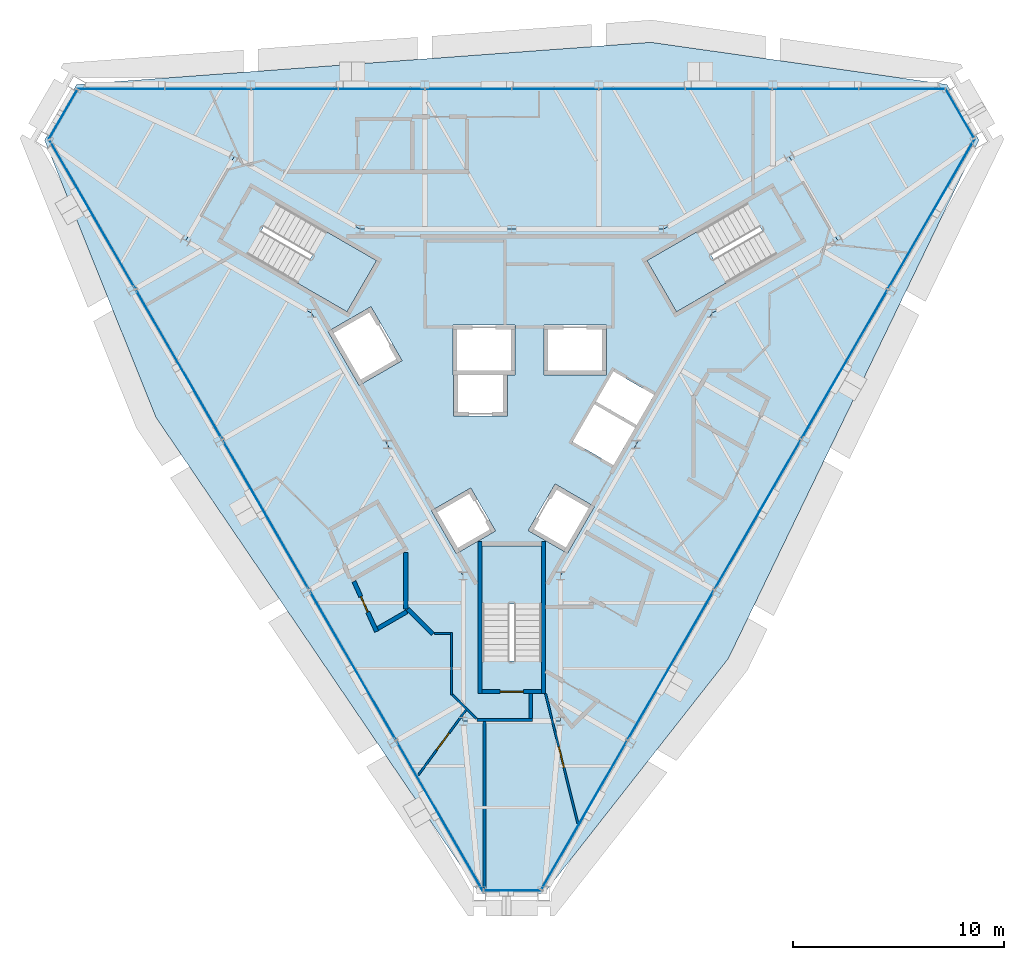
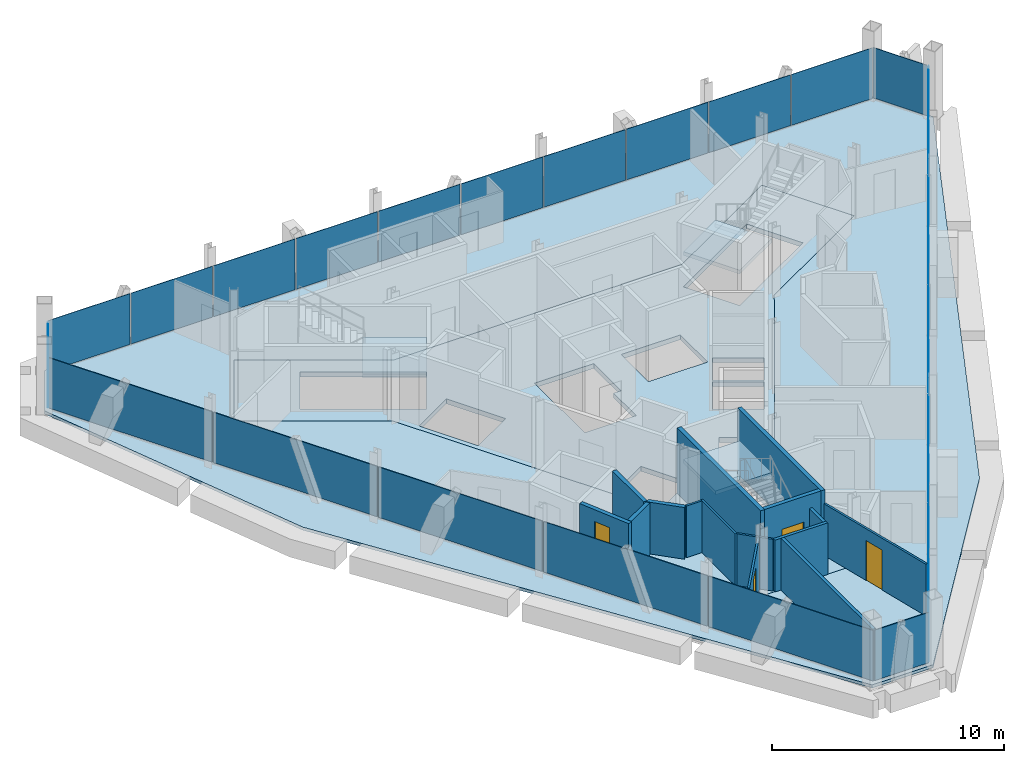
# One storey, part 7 of 12: 23 plates, 15 walls, 5 slabs, 4 doors, 4 openings, 9 elements without a shape of their own.
"""IFC4 building model written with IfcOpenShell, lengths in metres."""

from ifc_helpers import new_model, si_unit, direction, frame, frame_2d, origin, origin_2d, place, context, subcontext, project, spatial, polyline, rectangle, outline, extrude, material, layer, layer_set, type_object, element, fill, aggregate, save


model = new_model("IFC4")

# Units and contexts
model_context = context("Model", 3, precision=1e-05, world=origin(), true_north=direction((0.0, 1.0)))
body_context = subcontext(model_context, "Body", "Model", "MODEL_VIEW")
ifc_project = project(units=[si_unit("LENGTHUNIT", "METRE"), si_unit("AREAUNIT", "SQUARE_METRE"), si_unit("VOLUMEUNIT", "CUBIC_METRE"), si_unit("PLANEANGLEUNIT", "RADIAN"), si_unit("MASSUNIT", "GRAM", prefix="KILO")], contexts=[model_context])

# Site, building, storey
site_placement = place(None, origin())
site = spatial("IfcSite", under=ifc_project, at=site_placement, CompositionType="ELEMENT")
building_placement = place(site_placement, origin())
building = spatial("IfcBuilding", under=site, at=building_placement, Name="Verrane Prism Tower", CompositionType="ELEMENT")
storey_placement = place(building_placement, frame((0.0, 0.0, 271.39990234375)))
storey = spatial("IfcBuildingStorey", under=building, at=storey_placement, Name="L68", CompositionType="ELEMENT", Elevation=271.39990234375)

# Slabs
ifc_material_1 = material(Name="Concrete C35/45", Category="concrete")
ifc_layer_1 = layer(ifc_material_1, 0.159912109375)
ifc_layer_set_1 = layer_set([ifc_layer_1], Name="Composite floor slab")
slab_type_1 = type_object("IfcSlabType", Name="Composite floor slab", PredefinedType="FLOOR", material=ifc_layer_set_1)
slab_1_placement = place(storey_placement, frame((0.0, 0.0, -0.159912109375)))
element("IfcSlab", 1, at=slab_1_placement, inside=storey, type_object=slab_type_1, Name="Floor slab L68", PredefinedType="FLOOR", context=body_context, shape_type="SweptSolid", body=[
    extrude(outline(polyline([(10.256591796875, -13.53515625), (1.51904296875, -24.6689453125), (-1.51904296875, -24.6689453125), (-16.85009765625, -2.114990234375), (-22.12353515625, 11.01904296875), (-20.6044921875, 13.64990234375), (6.593505859375, 15.64990234375), (20.6044921875, 13.64990234375), (22.12353515625, 11.01904296875), (10.256591796875, -13.53515625)]), holes=[polyline([(15.43994140625, 6.260009765625), (13.139892578125, 10.239990234375), (7.179931640625, 6.800048828125), (0.0, 6.800048828125), (-7.179931640625, 6.800048828125), (-13.139892578125, 10.239990234375), (-15.43994140625, 6.260009765625), (-9.47998046875, 2.820068359375), (-5.889892578125, -3.39990234375), (-2.300048828125, -9.6201171875), (-2.300048828125, -16.5), (2.300048828125, -16.5), (2.300048828125, -9.6201171875), (5.889892578125, -3.39990234375), (9.47998046875, 2.820068359375), (15.43994140625, 6.260009765625)])]), origin(), (0.0, 0.0, 1.0), 0.159912109375),
])
ifc_material_2 = material(Name="Concrete C40/50", Category="concrete")
ifc_layer_2 = layer(ifc_material_2, 0.25)
ifc_layer_set_2 = layer_set([ifc_layer_2], Name="Core floor slab 250 concrete C40/50")
slab_type_2 = type_object("IfcSlabType", Name="Core floor slab 250 concrete C40/50", PredefinedType="FLOOR", material=ifc_layer_set_2)
slab_2_placement = place(storey_placement, frame((0.0, 0.0, -0.25)))
element("IfcSlab", 2, at=slab_2_placement, inside=storey, type_object=slab_type_2, Name="Core floor L68", PredefinedType="FLOOR", context=body_context, shape_type="SweptSolid", body=[
    extrude(outline(polyline([(9.47998046875, 2.820068359375), (15.43994140625, 6.260009765625), (13.139892578125, 10.239990234375), (7.179931640625, 6.800048828125), (0.0, 6.800048828125), (-7.179931640625, 6.800048828125), (-13.139892578125, 10.239990234375), (-15.43994140625, 6.260009765625), (-9.47998046875, 2.820068359375), (-5.889892578125, -3.39990234375), (-2.300048828125, -9.6201171875), (-2.300048828125, -16.5), (2.300048828125, -16.5), (2.300048828125, -9.6201171875), (5.889892578125, -3.39990234375), (9.47998046875, 2.820068359375)]), holes=[polyline([(-1.39990234375, -8.199951171875), (1.39990234375, -8.199951171875), (1.39990234375, -13.639892578125), (-1.39990234375, -13.639892578125), (-1.39990234375, -8.199951171875)]), polyline([(-0.76708984375, -7.491943359375), (-2.62890625, -8.56689453125), (-3.803955078125, -6.531982421875), (-1.94189453125, -5.45703125), (-0.76708984375, -7.491943359375)]), polyline([(3.9140625, -6.341064453125), (2.638916015625, -8.550048828125), (0.777099609375, -7.47509765625), (2.052001953125, -5.26611328125), (3.9140625, -6.341064453125)]), polyline([(4.81494140625, -4.37890625), (2.888916015625, -3.26708984375), (3.9130859375, -1.490966796875), (5.841064453125, -2.60302734375), (4.81494140625, -4.37890625)]), polyline([(6.739990234375, -1.044921875), (5.916015625, -2.47412109375), (3.988037109375, -1.361083984375), (4.81396484375, 0.06689453125), (6.739990234375, -1.044921875)]), polyline([(-2.784912109375, -0.10009765625), (-2.784912109375, 2.25), (0.1650390625, 2.25), (0.1650390625, -0.10009765625), (-0.205078125, -0.10009765625), (-0.205078125, -2.050048828125), (-2.7548828125, -2.050048828125), (-2.7548828125, -0.10009765625), (-2.784912109375, -0.10009765625)]), polyline([(4.47509765625, 2.25), (4.47509765625, -0.10009765625), (1.52490234375, -0.10009765625), (1.52490234375, 2.25), (4.47509765625, 2.25)]), polyline([(-8.7041015625, 1.955078125), (-6.66796875, 3.1298828125), (-5.193115234375, 0.574951171875), (-7.22900390625, -0.60009765625), (-8.7041015625, 1.955078125)]), polyline([(-7.801025390625, 2.887939453125), (-12.512939453125, 5.60791015625), (-11.113037109375, 8.031982421875), (-6.40087890625, 5.31201171875), (-7.801025390625, 2.887939453125)]), polyline([(6.40087890625, 5.31201171875), (11.113037109375, 8.031982421875), (12.512939453125, 5.60791015625), (7.801025390625, 2.887939453125), (6.40087890625, 5.31201171875)])]), origin(), (0.0, 0.0, 1.0), 0.25),
])

# Curtain wall, plates
ifc_material_3 = material(Name="Aluminium framed insulated glazing", Category="aluminium")
curtain_wall_type_1 = type_object("IfcCurtainWallType", Name="Curtain wall CW-C 4200 module", PredefinedType="NOTDEFINED", material=ifc_material_3)
curtain_wall_1_placement = place(storey_placement, origin())
curtain_wall_1 = element("IfcCurtainWall", 3, at=curtain_wall_1_placement, inside=storey, type_object=curtain_wall_type_1, Name="Glazed curtain wall north face L68", PredefinedType="NOTDEFINED")
ifc_material_4 = material(Name="Low-iron insulating glass unit", Category="glass")
ifc_layer_3 = layer(ifc_material_4, 0.02392578125)
ifc_layer_set_3 = layer_set([ifc_layer_3], Name="Glazing panel IGU 24")
plate_type_1 = type_object("IfcPlateType", Name="Glazing panel IGU 24", PredefinedType="CURTAIN_PANEL", material=ifc_layer_set_3)
plate_1_placement = place(storey_placement, frame((18.47900390625, 13.447265625, 0.05029296875), z_axis=(0.0, 0.0, 1.0), x_axis=(-1.0, 0.0, 0.0)))
plate_1 = element("IfcPlate", 4, at=plate_1_placement, type_object=plate_type_1, Name="CW66.2 panel 1", PredefinedType="CURTAIN_PANEL", context=body_context, shape_type="SweptSolid", body=[
    extrude(rectangle(XDim=4.0341796875, YDim=0.02392578125, at=origin_2d()), origin(), (0.0, 0.0, 1.0), 2.673095703125),
])
plate_2_placement = place(storey_placement, frame((14.38232421875, 13.447265625, 0.05029296875), z_axis=(0.0, 0.0, 1.0), x_axis=(-1.0, 0.0, 0.0)))
plate_2 = element("IfcPlate", 5, at=plate_2_placement, type_object=plate_type_1, Name="CW66.2 panel 2", PredefinedType="CURTAIN_PANEL", context=body_context, shape_type="SweptSolid", body=[
    extrude(rectangle(XDim=4.059326171875, YDim=0.02392578125, at=origin_2d()), origin(), (0.0, 0.0, 1.0), 2.673095703125),
])
plate_3_placement = place(storey_placement, frame((10.27294921875, 13.447265625, 0.05029296875), z_axis=(0.0, 0.0, 1.0), x_axis=(-1.0, 0.0, 0.0)))
plate_3 = element("IfcPlate", 6, at=plate_3_placement, type_object=plate_type_1, Name="CW66.2 panel 3", PredefinedType="CURTAIN_PANEL", context=body_context, shape_type="SweptSolid", body=[
    extrude(rectangle(XDim=4.059326171875, YDim=0.02392578125, at=origin_2d()), origin(), (0.0, 0.0, 1.0), 2.673095703125),
])
plate_4_placement = place(storey_placement, frame((6.163818359375, 13.447265625, 0.05029296875), z_axis=(0.0, 0.0, 1.0), x_axis=(-1.0, 0.0, 0.0)))
plate_4 = element("IfcPlate", 7, at=plate_4_placement, type_object=plate_type_1, Name="CW66.2 panel 4", PredefinedType="CURTAIN_PANEL", context=body_context, shape_type="SweptSolid", body=[
    extrude(rectangle(XDim=4.059326171875, YDim=0.02392578125, at=origin_2d()), origin(), (0.0, 0.0, 1.0), 2.673095703125),
])
plate_5_placement = place(storey_placement, frame((2.0546875, 13.447265625, 0.05029296875), z_axis=(0.0, 0.0, 1.0), x_axis=(-1.0, 0.0, 0.0)))
plate_5 = element("IfcPlate", 8, at=plate_5_placement, type_object=plate_type_1, Name="CW66.2 panel 5", PredefinedType="CURTAIN_PANEL", context=body_context, shape_type="SweptSolid", body=[
    extrude(rectangle(XDim=4.059326171875, YDim=0.02392578125, at=origin_2d()), origin(), (0.0, 0.0, 1.0), 2.673095703125),
])
plate_6_placement = place(storey_placement, frame((-2.0546875, 13.447265625, 0.05029296875), z_axis=(0.0, 0.0, 1.0), x_axis=(-1.0, 0.0, 0.0)))
plate_6 = element("IfcPlate", 9, at=plate_6_placement, type_object=plate_type_1, Name="CW66.2 panel 6", PredefinedType="CURTAIN_PANEL", context=body_context, shape_type="SweptSolid", body=[
    extrude(rectangle(XDim=4.059326171875, YDim=0.02392578125, at=origin_2d()), origin(), (0.0, 0.0, 1.0), 2.673095703125),
])
plate_7_placement = place(storey_placement, frame((-6.163818359375, 13.447265625, 0.05029296875), z_axis=(0.0, 0.0, 1.0), x_axis=(-1.0, 0.0, 0.0)))
plate_7 = element("IfcPlate", 10, at=plate_7_placement, type_object=plate_type_1, Name="CW66.2 panel 7", PredefinedType="CURTAIN_PANEL", context=body_context, shape_type="SweptSolid", body=[
    extrude(rectangle(XDim=4.059326171875, YDim=0.02392578125, at=origin_2d()), origin(), (0.0, 0.0, 1.0), 2.673095703125),
])
plate_8_placement = place(storey_placement, frame((-10.27294921875, 13.447265625, 0.05029296875), z_axis=(0.0, 0.0, 1.0), x_axis=(-1.0, 0.0, 0.0)))
plate_8 = element("IfcPlate", 11, at=plate_8_placement, type_object=plate_type_1, Name="CW66.2 panel 8", PredefinedType="CURTAIN_PANEL", context=body_context, shape_type="SweptSolid", body=[
    extrude(rectangle(XDim=4.059326171875, YDim=0.02392578125, at=origin_2d()), origin(), (0.0, 0.0, 1.0), 2.673095703125),
])
plate_9_placement = place(storey_placement, frame((-14.38232421875, 13.447265625, 0.05029296875), z_axis=(0.0, 0.0, 1.0), x_axis=(-1.0, 0.0, 0.0)))
plate_9 = element("IfcPlate", 12, at=plate_9_placement, type_object=plate_type_1, Name="CW66.2 panel 9", PredefinedType="CURTAIN_PANEL", context=body_context, shape_type="SweptSolid", body=[
    extrude(rectangle(XDim=4.059326171875, YDim=0.02392578125, at=origin_2d()), origin(), (0.0, 0.0, 1.0), 2.673095703125),
])
plate_10_placement = place(storey_placement, frame((-18.50390625, 13.447265625, 0.05029296875), z_axis=(0.0, 0.0, 1.0), x_axis=(-1.0, 0.0, 0.0)))
plate_10 = element("IfcPlate", 13, at=plate_10_placement, type_object=plate_type_1, Name="CW66.2 panel 10", PredefinedType="CURTAIN_PANEL", context=body_context, shape_type="SweptSolid", body=[
    extrude(rectangle(XDim=4.084228515625, YDim=0.02392578125, at=origin_2d()), origin(), (0.0, 0.0, 1.0), 2.673095703125),
])
aggregate(curtain_wall_1, [plate_1, plate_2, plate_3, plate_4, plate_5, plate_6, plate_7, plate_8, plate_9, plate_10])

# Curtain wall, plate
ifc_material_5 = material(Name="Aluminium framed insulated glazing", Category="aluminium")
curtain_wall_type_2 = type_object("IfcCurtainWallType", Name="Curtain wall CW-A 8400 module", PredefinedType="NOTDEFINED", material=ifc_material_5)
curtain_wall_2_placement = place(storey_placement, origin())
curtain_wall_2 = element("IfcCurtainWall", 14, at=curtain_wall_2_placement, inside=storey, type_object=curtain_wall_type_2, Name="Glazed curtain wall north-east corner L68", PredefinedType="NOTDEFINED")
ifc_material_6 = material(Name="Low-iron insulating glass unit", Category="glass")
ifc_layer_4 = layer(ifc_material_6, 0.031982421875)
ifc_layer_set_4 = layer_set([ifc_layer_4], Name="Glazing panel IGU 32")
plate_type_2 = type_object("IfcPlateType", Name="Glazing panel IGU 32", PredefinedType="CURTAIN_PANEL", material=ifc_layer_set_4)
plate_11_placement = place(storey_placement, frame((21.21484375, 12.288818359375, 0.0703125), z_axis=(0.0, 0.0, 1.0), x_axis=(-0.500002040855, 0.866024225493, 0.0)))
plate_11 = element("IfcPlate", 15, at=plate_11_placement, type_object=plate_type_2, Name="CW66.1 panel 1", PredefinedType="CURTAIN_PANEL", context=body_context, shape_type="SweptSolid", body=[
    extrude(rectangle(XDim=2.67529296875, YDim=0.031982421875, at=origin_2d()), origin(), (0.0, 0.0, 1.0), 2.653076171875),
])
aggregate(curtain_wall_2, [plate_11])

curtain_wall_3_placement = place(storey_placement, origin())
curtain_wall_3 = element("IfcCurtainWall", 16, at=curtain_wall_3_placement, inside=storey, type_object=curtain_wall_type_2, Name="Glazed curtain wall north-west corner L68", PredefinedType="NOTDEFINED")
plate_12_placement = place(storey_placement, frame((-21.25, 12.228271484375, 0.0703125), z_axis=(0.0, 0.0, 1.0), x_axis=(-0.500002040855, -0.866024225493, 0.0)))
plate_12 = element("IfcPlate", 17, at=plate_12_placement, type_object=plate_type_2, Name="CW66.3 panel 1", PredefinedType="CURTAIN_PANEL", context=body_context, shape_type="SweptSolid", body=[
    extrude(rectangle(XDim=2.67529296875, YDim=0.031982421875, at=origin_2d()), origin(), (0.0, 0.0, 1.0), 2.653076171875),
])
aggregate(curtain_wall_3, [plate_12])

# Curtain wall, plates
curtain_wall_4_placement = place(storey_placement, origin())
curtain_wall_4 = element("IfcCurtainWall", 18, at=curtain_wall_4_placement, inside=storey, type_object=curtain_wall_type_2, Name="Glazed curtain wall south-west face L68", PredefinedType="NOTDEFINED")
plate_13_placement = place(storey_placement, frame((-19.855224609375, 7.495849609375, 0.0703125), z_axis=(0.0, 0.0, 1.0), x_axis=(0.500000938868, -0.866024861728, 0.0)))
plate_13 = element("IfcPlate", 19, at=plate_13_placement, type_object=plate_type_2, Name="CW66.4 panel 1", PredefinedType="CURTAIN_PANEL", context=body_context, shape_type="SweptSolid", body=[
    extrude(rectangle(XDim=8.113525390625, YDim=0.031982421875, at=origin_2d()), origin(), (0.0, 0.0, 1.0), 2.653076171875),
])
plate_14_placement = place(storey_placement, frame((-15.7548828125, 0.393798828125, 0.0703125), z_axis=(0.0, 0.0, 1.0), x_axis=(0.500000938868, -0.866024861728, 0.0)))
plate_14 = element("IfcPlate", 20, at=plate_14_placement, type_object=plate_type_2, Name="CW66.4 panel 2", PredefinedType="CURTAIN_PANEL", context=body_context, shape_type="SweptSolid", body=[
    extrude(rectangle(XDim=8.1484375, YDim=0.031982421875, at=origin_2d()), origin(), (0.0, 0.0, 1.0), 2.653076171875),
])
plate_15_placement = place(storey_placement, frame((-11.645751953125, -6.7236328125, 0.0703125), z_axis=(0.0, 0.0, 1.0), x_axis=(0.500000938868, -0.866024861728, 0.0)))
plate_15 = element("IfcPlate", 21, at=plate_15_placement, type_object=plate_type_2, Name="CW66.4 panel 3", PredefinedType="CURTAIN_PANEL", context=body_context, shape_type="SweptSolid", body=[
    extrude(rectangle(XDim=8.1484375, YDim=0.031982421875, at=origin_2d()), origin(), (0.0, 0.0, 1.0), 2.653076171875),
])
plate_16_placement = place(storey_placement, frame((-7.536376953125, -13.841064453125, 0.0703125), z_axis=(0.0, 0.0, 1.0), x_axis=(0.500000938868, -0.866024861728, 0.0)))
plate_16 = element("IfcPlate", 22, at=plate_16_placement, type_object=plate_type_2, Name="CW66.4 panel 4", PredefinedType="CURTAIN_PANEL", context=body_context, shape_type="SweptSolid", body=[
    extrude(rectangle(XDim=8.1484375, YDim=0.031982421875, at=origin_2d()), origin(), (0.0, 0.0, 1.0), 2.653076171875),
])
plate_17_placement = place(storey_placement, frame((-3.41845703125, -20.973388671875, 0.0703125), z_axis=(0.0, 0.0, 1.0), x_axis=(0.500000938868, -0.866024861728, 0.0)))
plate_17 = element("IfcPlate", 23, at=plate_17_placement, type_object=plate_type_2, Name="CW66.4 panel 5", PredefinedType="CURTAIN_PANEL", context=body_context, shape_type="SweptSolid", body=[
    extrude(rectangle(XDim=8.183349609375, YDim=0.031982421875, at=origin_2d()), origin(), (0.0, 0.0, 1.0), 2.653076171875),
])
aggregate(curtain_wall_4, [plate_13, plate_14, plate_15, plate_16, plate_17])

# Curtain wall, plate
curtain_wall_5_placement = place(storey_placement, origin())
curtain_wall_5 = element("IfcCurtainWall", 24, at=curtain_wall_5_placement, inside=storey, type_object=curtain_wall_type_2, Name="Glazed curtain wall south corner L68", PredefinedType="NOTDEFINED")
plate_18_placement = place(storey_placement, frame((0.034912109375, -24.51708984375, 0.0703125), z_axis=(0.0, 0.0, 1.0), x_axis=(1.0, 0.0, 0.0)))
plate_18 = element("IfcPlate", 25, at=plate_18_placement, type_object=plate_type_2, Name="CW66.5 panel 1", PredefinedType="CURTAIN_PANEL", context=body_context, shape_type="SweptSolid", body=[
    extrude(rectangle(XDim=2.67529296875, YDim=0.031982421875, at=origin_2d()), origin(), (0.0, 0.0, 1.0), 2.653076171875),
])
aggregate(curtain_wall_5, [plate_18])

# Curtain wall, plates
curtain_wall_6_placement = place(storey_placement, origin())
curtain_wall_6 = element("IfcCurtainWall", 26, at=curtain_wall_6_placement, inside=storey, type_object=curtain_wall_type_2, Name="Glazed curtain wall south-east face L68", PredefinedType="NOTDEFINED")
plate_19_placement = place(storey_placement, frame((3.43603515625, -20.943115234375, 0.0703125), z_axis=(0.0, 0.0, 1.0), x_axis=(0.500000938868, 0.866024861728, 0.0)))
plate_19 = element("IfcPlate", 27, at=plate_19_placement, type_object=plate_type_2, Name="CW66.6 panel 1", PredefinedType="CURTAIN_PANEL", context=body_context, shape_type="SweptSolid", body=[
    extrude(rectangle(XDim=8.113525390625, YDim=0.031982421875, at=origin_2d()), origin(), (0.0, 0.0, 1.0), 2.653076171875),
])
plate_20_placement = place(storey_placement, frame((7.536376953125, -13.841064453125, 0.0703125), z_axis=(0.0, 0.0, 1.0), x_axis=(0.500000938868, 0.866024861728, 0.0)))
plate_20 = element("IfcPlate", 28, at=plate_20_placement, type_object=plate_type_2, Name="CW66.6 panel 2", PredefinedType="CURTAIN_PANEL", context=body_context, shape_type="SweptSolid", body=[
    extrude(rectangle(XDim=8.1484375, YDim=0.031982421875, at=origin_2d()), origin(), (0.0, 0.0, 1.0), 2.653076171875),
])
plate_21_placement = place(storey_placement, frame((11.645751953125, -6.7236328125, 0.0703125), z_axis=(0.0, 0.0, 1.0), x_axis=(0.500000938868, 0.866024861728, 0.0)))
plate_21 = element("IfcPlate", 29, at=plate_21_placement, type_object=plate_type_2, Name="CW66.6 panel 3", PredefinedType="CURTAIN_PANEL", context=body_context, shape_type="SweptSolid", body=[
    extrude(rectangle(XDim=8.1484375, YDim=0.031982421875, at=origin_2d()), origin(), (0.0, 0.0, 1.0), 2.653076171875),
])
plate_22_placement = place(storey_placement, frame((15.7548828125, 0.393798828125, 0.0703125), z_axis=(0.0, 0.0, 1.0), x_axis=(0.500000938868, 0.866024861728, 0.0)))
plate_22 = element("IfcPlate", 30, at=plate_22_placement, type_object=plate_type_2, Name="CW66.6 panel 4", PredefinedType="CURTAIN_PANEL", context=body_context, shape_type="SweptSolid", body=[
    extrude(rectangle(XDim=8.1484375, YDim=0.031982421875, at=origin_2d()), origin(), (0.0, 0.0, 1.0), 2.653076171875),
])
plate_23_placement = place(storey_placement, frame((19.872802734375, 7.5263671875, 0.0703125), z_axis=(0.0, 0.0, 1.0), x_axis=(0.500000938868, 0.866024861728, 0.0)))
plate_23 = element("IfcPlate", 31, at=plate_23_placement, type_object=plate_type_2, Name="CW66.6 panel 5", PredefinedType="CURTAIN_PANEL", context=body_context, shape_type="SweptSolid", body=[
    extrude(rectangle(XDim=8.183349609375, YDim=0.031982421875, at=origin_2d()), origin(), (0.0, 0.0, 1.0), 2.653076171875),
])
aggregate(curtain_wall_6, [plate_19, plate_20, plate_21, plate_22, plate_23])

# Stair, slab
ifc_material_7 = material(Name="Concrete C40/50", Category="concrete")
stair_type = type_object("IfcStairType", Name="Exit stair 1300 dog-leg precast concrete C40/50", PredefinedType="HALF_TURN_STAIR", material=ifc_material_7)
stair_1_placement = place(storey_placement, origin())
stair_1 = element("IfcStair", 32, at=stair_1_placement, inside=storey, type_object=stair_type, Name="Stair 1 L68", PredefinedType="HALF_TURN_STAIR")
ifc_material_8 = material(Name="Concrete C40/50", Category="concrete")
ifc_layer_5 = layer(ifc_material_8, 0.199951171875)
ifc_layer_set_5 = layer_set([ifc_layer_5], Name="Stair landing 200 precast concrete C40/50")
slab_type_3 = type_object("IfcSlabType", Name="Stair landing 200 precast concrete C40/50", PredefinedType="LANDING", material=ifc_layer_set_5)
slab_3_placement = place(storey_placement, frame((0.0, 0.0, 1.650146484375)))
slab_3 = element("IfcSlab", 33, at=slab_3_placement, type_object=slab_type_3, Name="Stair 1 landing 1", PredefinedType="LANDING", context=body_context, shape_type="SweptSolid", body=[
    extrude(outline(polyline([(8.791748046875, 6.6923828125), (6.4013671875, 5.3125), (7.801513671875, 2.887451171875), (10.191650390625, 4.267578125), (8.791748046875, 6.6923828125)])), origin(), (0.0, 0.0, 1.0), 0.199951171875),
])
aggregate(stair_1, [slab_3])

stair_2_placement = place(storey_placement, origin())
stair_2 = element("IfcStair", 34, at=stair_2_placement, inside=storey, type_object=stair_type, Name="Stair 2 L68", PredefinedType="HALF_TURN_STAIR")
slab_4_placement = place(storey_placement, frame((0.0, 0.0, 1.650146484375)))
slab_4 = element("IfcSlab", 35, at=slab_4_placement, type_object=slab_type_3, Name="Stair 2 landing 1", PredefinedType="LANDING", context=body_context, shape_type="SweptSolid", body=[
    extrude(outline(polyline([(-10.191650390625, 4.267578125), (-7.801513671875, 2.887451171875), (-6.4013671875, 5.3125), (-8.791748046875, 6.6923828125), (-10.191650390625, 4.267578125)])), origin(), (0.0, 0.0, 1.0), 0.199951171875),
])
aggregate(stair_2, [slab_4])

stair_3_placement = place(storey_placement, origin())
stair_3 = element("IfcStair", 36, at=stair_3_placement, inside=storey, type_object=stair_type, Name="Stair 3 L68", PredefinedType="HALF_TURN_STAIR")
slab_5_placement = place(storey_placement, frame((0.0, 0.0, 1.650146484375)))
slab_5 = element("IfcSlab", 37, at=slab_5_placement, type_object=slab_type_3, Name="Stair 3 landing 1", PredefinedType="LANDING", context=body_context, shape_type="SweptSolid", body=[
    extrude(outline(polyline([(1.39990234375, -10.9599609375), (1.39990234375, -8.199951171875), (-1.39990234375, -8.199951171875), (-1.39990234375, -10.9599609375), (1.39990234375, -10.9599609375)])), origin(), (0.0, 0.0, 1.0), 0.199951171875),
])
aggregate(stair_3, [slab_5])

# Wall, opening, door
ifc_material_9 = material(Name="Concrete C40/50", Category="concrete")
ifc_layer_6 = layer(ifc_material_9, 0.199951171875)
ifc_layer_set_6 = layer_set([ifc_layer_6], Name="CW-200 stair core wall concrete C40/50 3 h")
wall_type_1 = type_object("IfcWallType", Name="CW-200 stair core wall concrete C40/50 3 h", PredefinedType="PARTITIONING", material=ifc_layer_set_6)
wall_1_placement = place(storey_placement, frame((-1.39990234375, -15.10009765625, 0.0), z_axis=(0.0, 0.0, 1.0), x_axis=(1.0, 0.0, 0.0)))
wall_1 = element("IfcWall", 38, at=wall_1_placement, inside=storey, type_object=wall_type_1, Name="Stair 3 enclosure wall", PredefinedType="PARTITIONING", context=body_context, shape_type="SweptSolid", body=[
    extrude(rectangle(XDim=2.7998046875, YDim=0.199951171875, at=frame_2d((1.39990234375, 0.0))), origin(), (0.0, 0.0, 1.0), 3.4501953125),
])
opening_1_placement = place(wall_1_placement, frame((0.85009765625, 0.0, 0.0)))
opening_1 = element("IfcOpeningElement", 39, at=opening_1_placement, cuts=wall_1, Name="Opening D66502", PredefinedType="OPENING", context=body_context, shape_type="SweptSolid", body=[
    extrude(rectangle(XDim=1.10009765625, YDim=2.10009765625, at=frame_2d((0.550048828125, 1.050048828125))), frame((0.0, 0.10986328125, 0.0), z_axis=(0.0, -1.0, 0.0), x_axis=(1.0, 0.0, 0.0)), (0.0, 0.0, 1.0), 0.219970703125),
])
ifc_material_10 = material(Name="Timber veneered door leaf", Category="wood")
door_type_1 = type_object("IfcDoorType", Name="DR-1100x2100 FD90 single leaf stair", OperationType="NOTDEFINED", PredefinedType="DOOR", material=ifc_material_10)
door_1_placement = place(opening_1_placement, origin())
door_1 = element("IfcDoor", 40, at=door_1_placement, inside=storey, type_object=door_type_1, Name="Stair 3 door", OperationType="SINGLE_SWING_LEFT", OverallHeight=2.10009765625, OverallWidth=1.10009765625, PredefinedType="DOOR", context=body_context, shape_type="SweptSolid", body=[
    extrude(rectangle(XDim=1.10009765625, YDim=2.10009765625, at=frame_2d((0.550048828125, 1.050048828125))), frame((0.0, 0.02490234375, 0.0), z_axis=(0.0, -1.0, 0.0), x_axis=(1.0, 0.0, 0.0)), (0.0, 0.0, 1.0), 0.050048828125),
])
fill(opening_1, door_1)

# Walls
for number, where, z_axis, x_axis, name in (
    (41, (1.5, -8.0, 0.0), (0.0, 0.0, 1.0), (0.0, -1.0, 0.0), "Stair 3 enclosure wall"),
    (42, (-1.5, -8.0, 0.0), (0.0, 0.0, 1.0), (0.0, -1.0, 0.0), "Stair 3 enclosure wall"),
):
    element("IfcWall", number, at=place(storey_placement, frame(where, z_axis=z_axis, x_axis=x_axis)), inside=storey, type_object=wall_type_1, Name=name, PredefinedType="PARTITIONING", context=body_context, shape_type="SweptSolid", body=[
        extrude(rectangle(XDim=7.199951171875, YDim=0.199951171875, at=frame_2d((3.60009765625, 0.0))), origin(), (0.0, 0.0, 1.0), 3.4501953125),
    ])

# Wall, opening, door
ifc_material_11 = material(Name="Gypsum board partition", Category="other")
ifc_layer_7 = layer(ifc_material_11, 0.10009765625)
ifc_layer_set_7 = layer_set([ifc_layer_7], Name="PW-100 room partition")
wall_type_2 = type_object("IfcWallType", Name="PW-100 room partition", PredefinedType="PARTITIONING", material=ifc_layer_set_7)
wall_2_placement = place(storey_placement, frame((-2.16357421875, -15.968017578125, 0.0), z_axis=(0.0, 0.0, 1.0), x_axis=(-0.591435630084, -0.806352215516, 0.0)))
wall_2 = element("IfcWall", 43, at=wall_2_placement, inside=storey, type_object=wall_type_2, Name="Room partition 023", PredefinedType="PARTITIONING", context=body_context, shape_type="SweptSolid", body=[
    extrude(rectangle(XDim=3.82373046875, YDim=0.10009765625, at=frame_2d((1.911865234375, 0.0))), origin(), (0.0, 0.0, 1.0), 2.72314453125),
])
opening_2_placement = place(wall_2_placement, frame((1.357666015625, 0.0, 0.0)))
opening_2 = element("IfcOpeningElement", 44, at=opening_2_placement, cuts=wall_2, Name="Opening D66016", PredefinedType="OPENING", context=body_context, shape_type="SweptSolid", body=[
    extrude(rectangle(XDim=1.0, YDim=2.10009765625, at=frame_2d((0.5, 1.050048828125))), frame((0.0, 0.06005859375, 0.0), z_axis=(0.0, -1.0, 0.0), x_axis=(1.0, 0.0, 0.0)), (0.0, 0.0, 1.0), 0.1201171875),
])
ifc_material_12 = material(Name="Timber veneered door leaf", Category="wood")
door_type_2 = type_object("IfcDoorType", Name="DR-1000x2100 single leaf inner", OperationType="NOTDEFINED", PredefinedType="DOOR", material=ifc_material_12)
door_2_placement = place(opening_2_placement, origin())
door_2 = element("IfcDoor", 45, at=door_2_placement, inside=storey, type_object=door_type_2, Name="Living And Dining Room door", OperationType="SINGLE_SWING_LEFT", OverallHeight=2.10009765625, OverallWidth=1.0, PredefinedType="DOOR", context=body_context, shape_type="SweptSolid", body=[
    extrude(rectangle(XDim=1.0, YDim=2.10009765625, at=frame_2d((0.5, 1.050048828125))), frame((0.0, 0.02490234375, 0.0), z_axis=(0.0, -1.0, 0.0), x_axis=(1.0, 0.0, 0.0)), (0.0, 0.0, 1.0), 0.050048828125),
])
fill(opening_2, door_2)

# Walls
wall_3_placement = place(storey_placement, frame((-3.6640625, -12.339111328125, 0.0), z_axis=(0.0, 0.0, 1.0), x_axis=(1.0, 0.0, 0.0)))
element("IfcWall", 46, at=wall_3_placement, inside=storey, type_object=wall_type_2, Name="Room partition 024", PredefinedType="PARTITIONING", context=body_context, shape_type="SweptSolid", body=[
    extrude(rectangle(XDim=0.76416015625, YDim=0.10009765625, at=frame_2d((0.382080078125, 0.0))), origin(), (0.0, 0.0, 1.0), 2.72314453125),
])
wall_4_placement = place(storey_placement, frame((-2.85009765625, -15.25, 0.0), z_axis=(0.0, 0.0, 1.0), x_axis=(0.0, 1.0, 0.0)))
element("IfcWall", 47, at=wall_4_placement, inside=storey, type_object=wall_type_2, Name="Room partition 025", PredefinedType="PARTITIONING", context=body_context, shape_type="SweptSolid", body=[
    extrude(rectangle(XDim=2.9609375, YDim=0.10009765625, at=frame_2d((1.48046875, 0.0))), origin(), (0.0, 0.0, 1.0), 2.72314453125),
])
wall_5_placement = place(storey_placement, frame((-2.800537109375, -15.24951171875, 0.0), z_axis=(0.0, 0.0, 1.0), x_axis=(0.707106781187, -0.707106781187, 0.0)))
element("IfcWall", 48, at=wall_5_placement, inside=storey, type_object=wall_type_2, Name="Room partition 026", PredefinedType="PARTITIONING", context=body_context, shape_type="SweptSolid", body=[
    extrude(rectangle(XDim=1.60791015625, YDim=0.10009765625, at=frame_2d((0.803955078125, 0.0))), origin(), (0.0, 0.0, 1.0), 2.72314453125),
])

# Wall, opening, door
wall_6_placement = place(storey_placement, frame((3.127197265625, -21.334716796875, 0.0), z_axis=(0.0, 0.0, 1.0), x_axis=(-0.241554155251, 0.970387340231, 0.0)))
wall_6 = element("IfcWall", 49, at=wall_6_placement, inside=storey, type_object=wall_type_2, Name="Room partition 034", PredefinedType="PARTITIONING", context=body_context, shape_type="SweptSolid", body=[
    extrude(rectangle(XDim=6.322021484375, YDim=0.10009765625, at=frame_2d((3.1611328125, 0.0))), origin(), (0.0, 0.0, 1.0), 2.72314453125),
])
opening_3_placement = place(wall_6_placement, frame((2.721923828125, 0.0, 0.0)))
opening_3 = element("IfcOpeningElement", 50, at=opening_3_placement, cuts=wall_6, Name="Opening D66004", PredefinedType="OPENING", context=body_context, shape_type="SweptSolid", body=[
    extrude(rectangle(XDim=1.0, YDim=2.10009765625, at=frame_2d((0.5, 1.050048828125))), frame((0.0, 0.06005859375, 0.0), z_axis=(0.0, -1.0, 0.0), x_axis=(1.0, 0.0, 0.0)), (0.0, 0.0, 1.0), 0.1201171875),
])
door_3_placement = place(opening_3_placement, origin())
door_3 = element("IfcDoor", 51, at=door_3_placement, inside=storey, type_object=door_type_2, Name="Bedroom door", OperationType="SINGLE_SWING_LEFT", OverallHeight=2.10009765625, OverallWidth=1.0, PredefinedType="DOOR", context=body_context, shape_type="SweptSolid", body=[
    extrude(rectangle(XDim=1.0, YDim=2.10009765625, at=frame_2d((0.5, 1.050048828125))), frame((0.0, 0.02490234375, 0.0), z_axis=(0.0, -1.0, 0.0), x_axis=(1.0, 0.0, 0.0)), (0.0, 0.0, 1.0), 0.050048828125),
])
fill(opening_3, door_3)

# Walls
ifc_material_13 = material(Name="Gypsum board partition", Category="other")
ifc_layer_8 = layer(ifc_material_13, 0.14990234375)
ifc_layer_set_8 = layer_set([ifc_layer_8], Name="PW-150 demising wall 1 h")
wall_type_3 = type_object("IfcWallType", Name="PW-150 demising wall 1 h", PredefinedType="PARTITIONING", material=ifc_layer_set_8)
wall_7_placement = place(storey_placement, frame((-1.64990234375, -16.449951171875, 0.0), z_axis=(0.0, 0.0, 1.0), x_axis=(1.0, 0.0, 0.0)))
element("IfcWall", 52, at=wall_7_placement, inside=storey, type_object=wall_type_3, Name="Demising wall 029", PredefinedType="PARTITIONING", context=body_context, shape_type="SweptSolid", body=[
    extrude(rectangle(XDim=2.625, YDim=0.14990234375, at=frame_2d((1.3125, 0.0))), origin(), (0.0, 0.0, 1.0), 2.72314453125),
])
wall_8_placement = place(storey_placement, frame((-1.285888671875, -24.4208984375, 0.0), z_axis=(0.0, 0.0, 1.0), x_axis=(0.0, 1.0, 0.0)))
element("IfcWall", 53, at=wall_8_placement, inside=storey, type_object=wall_type_3, Name="Demising wall 030", PredefinedType="PARTITIONING", context=body_context, shape_type="SweptSolid", body=[
    extrude(rectangle(XDim=7.89599609375, YDim=0.14990234375, at=frame_2d((3.947998046875, 0.0))), origin(), (0.0, 0.0, 1.0), 2.72314453125),
])
wall_9_placement = place(storey_placement, frame((0.89990234375, -16.375, 0.0), z_axis=(0.0, 0.0, 1.0), x_axis=(0.0, 1.0, 0.0)))
element("IfcWall", 54, at=wall_9_placement, inside=storey, type_object=wall_type_3, Name="Demising wall 031", PredefinedType="PARTITIONING", context=body_context, shape_type="SweptSolid", body=[
    extrude(rectangle(XDim=1.175048828125, YDim=0.14990234375, at=frame_2d((0.58740234375, 0.0))), origin(), (0.0, 0.0, 1.0), 2.72314453125),
])

# Wall, opening, door
ifc_material_14 = material(Name="Gypsum board partition", Category="other")
ifc_layer_9 = layer(ifc_material_14, 0.199951171875)
ifc_layer_set_9 = layer_set([ifc_layer_9], Name="PW-200 plumbing wall")
wall_type_4 = type_object("IfcWallType", Name="PW-200 plumbing wall", PredefinedType="PARTITIONING", material=ifc_layer_set_9)
wall_10_placement = place(storey_placement, frame((-7.4736328125, -9.88525390625, 0.0), z_axis=(0.0, 0.0, 1.0), x_axis=(0.411787773138, -0.911279775862, 0.0)))
wall_10 = element("IfcWall", 55, at=wall_10_placement, inside=storey, type_object=wall_type_4, Name="Plumbing wall 013", PredefinedType="PARTITIONING", context=body_context, shape_type="SweptSolid", body=[
    extrude(rectangle(XDim=2.602783203125, YDim=0.199951171875, at=frame_2d((1.30126953125, 0.0))), origin(), (0.0, 0.0, 1.0), 2.72314453125),
])
opening_4_placement = place(wall_10_placement, frame((0.7900390625, 0.0, 0.0)))
opening_4 = element("IfcOpeningElement", 56, at=opening_4_placement, cuts=wall_10, Name="Opening D66017", PredefinedType="OPENING", context=body_context, shape_type="SweptSolid", body=[
    extrude(rectangle(XDim=0.800048828125, YDim=2.10009765625, at=frame_2d((0.39990234375, 1.050048828125))), frame((0.0, 0.10986328125, 0.0), z_axis=(0.0, -1.0, 0.0), x_axis=(1.0, 0.0, 0.0)), (0.0, 0.0, 1.0), 0.219970703125),
])
ifc_material_15 = material(Name="Timber veneered door leaf", Category="wood")
door_type_3 = type_object("IfcDoorType", Name="DR-800x2100 single leaf inner", OperationType="NOTDEFINED", PredefinedType="DOOR", material=ifc_material_15)
door_4_placement = place(opening_4_placement, origin())
door_4 = element("IfcDoor", 57, at=door_4_placement, inside=storey, type_object=door_type_3, Name="Bathroom door", OperationType="SINGLE_SWING_LEFT", OverallHeight=2.10009765625, OverallWidth=0.800048828125, PredefinedType="DOOR", context=body_context, shape_type="SweptSolid", body=[
    extrude(rectangle(XDim=0.800048828125, YDim=2.10009765625, at=frame_2d((0.39990234375, 1.050048828125))), frame((0.0, 0.02490234375, 0.0), z_axis=(0.0, -1.0, 0.0), x_axis=(1.0, 0.0, 0.0)), (0.0, 0.0, 1.0), 0.050048828125),
])
fill(opening_4, door_4)

# Walls
wall_11_placement = place(storey_placement, frame((-6.34765625, -12.111083984375, 0.0), z_axis=(0.0, 0.0, 1.0), x_axis=(0.866004001318, 0.500037068326, 0.0)))
element("IfcWall", 58, at=wall_11_placement, inside=storey, type_object=wall_type_4, Name="Plumbing wall 017", PredefinedType="PARTITIONING", context=body_context, shape_type="SweptSolid", body=[
    extrude(rectangle(XDim=1.58984375, YDim=0.199951171875, at=frame_2d((0.794921875, 0.0))), origin(), (0.0, 0.0, 1.0), 2.72314453125),
])
wall_12_placement = place(storey_placement, frame((-5.01904296875, -11.18896484375, 0.0), z_axis=(0.0, 0.0, 1.0), x_axis=(0.0, 1.0, 0.0)))
element("IfcWall", 59, at=wall_12_placement, inside=storey, type_object=wall_type_4, Name="Plumbing wall 019", PredefinedType="PARTITIONING", context=body_context, shape_type="SweptSolid", body=[
    extrude(rectangle(XDim=2.677001953125, YDim=0.199951171875, at=frame_2d((1.33837890625, 0.0))), origin(), (0.0, 0.0, 1.0), 2.72314453125),
])
wall_13_placement = place(storey_placement, frame((-4.919921875, -11.18798828125, 0.0), z_axis=(0.0, 0.0, 1.0), x_axis=(0.707106781187, -0.707106781187, 0.0)))
element("IfcWall", 60, at=wall_13_placement, inside=storey, type_object=wall_type_4, Name="Plumbing wall 020", PredefinedType="PARTITIONING", context=body_context, shape_type="SweptSolid", body=[
    extrude(rectangle(XDim=1.677734375, YDim=0.199951171875, at=frame_2d((0.8388671875, 0.0))), origin(), (0.0, 0.0, 1.0), 2.72314453125),
])

save(model, "model.ifc")
